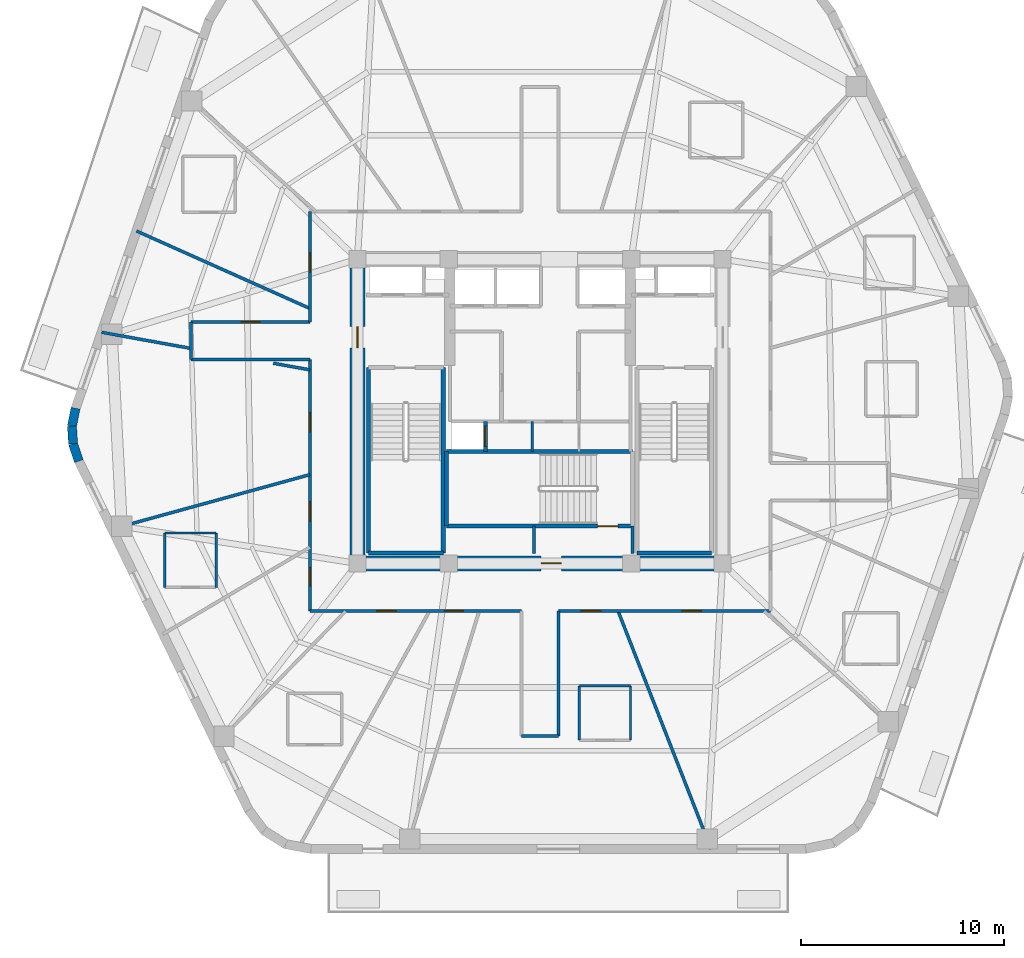
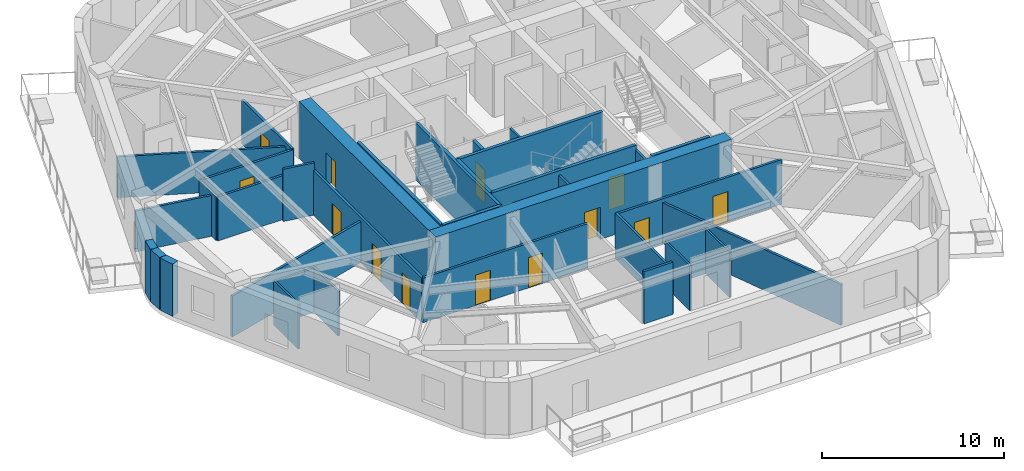
# One storey, part 3 of 9: 36 walls, 13 doors, 13 openings.
"""IFC4 building model written with IfcOpenShell, lengths in metres."""

from ifc_helpers import new_model, si_unit, direction, frame, frame_2d, origin, place, context, subcontext, project, spatial, rectangle, extrude, material, layer, layer_set, type_object, element, fill, save


model = new_model("IFC4")

# Units and contexts
model_context = context("Model", 3, precision=1e-05, world=origin(), true_north=direction((0.0, 1.0)))
body_context = subcontext(model_context, "Body", "Model", "MODEL_VIEW")
ifc_project = project(units=[si_unit("LENGTHUNIT", "METRE"), si_unit("AREAUNIT", "SQUARE_METRE"), si_unit("VOLUMEUNIT", "CUBIC_METRE"), si_unit("PLANEANGLEUNIT", "RADIAN"), si_unit("MASSUNIT", "GRAM", prefix="KILO")], contexts=[model_context])

# Site, building, storey
site_placement = place(None, origin())
site = spatial("IfcSite", under=ifc_project, at=site_placement, CompositionType="ELEMENT")
building_placement = place(site_placement, origin())
building = spatial("IfcBuilding", under=site, at=building_placement, Name="Kilnhurst Terrace Hotel", CompositionType="ELEMENT")
storey_placement = place(building_placement, frame((0.0, 0.0, 229.300048828125)))
storey = spatial("IfcBuildingStorey", under=building, at=storey_placement, Name="L57", CompositionType="ELEMENT", Elevation=229.300048828125)

# Walls
ifc_material_1 = material(Name="Precast concrete C40/50", Category="concrete")
ifc_layer_1 = layer(ifc_material_1, 0.449951171875, Name="Precast concrete C40/50")
ifc_layer_set_1 = layer_set([ifc_layer_1], Name="Precast concrete C40/50")
wall_type_1 = type_object("IfcWallType", Name="WL-BRK-450", PredefinedType="SOLIDWALL", material=ifc_layer_set_1)
wall_1_placement = place(storey_placement, frame((-22.8984375, 0.149658203125, 0.0), z_axis=(0.0, 0.0, 1.0), x_axis=(-0.199055826889, -0.979988151858, 0.0)))
element("IfcWall", 1, at=wall_1_placement, inside=storey, type_object=wall_type_1, Name="L57 Rounded Corner Brick Wall C6.1", PredefinedType="SOLIDWALL", context=body_context, shape_type="SweptSolid", body=[
    extrude(rectangle(XDim=0.89404296875, YDim=0.449951171875, at=frame_2d((0.447021484375, 0.0))), origin(), (0.0, 0.0, 1.0), 3.5),
])
wall_2_placement = place(storey_placement, frame((-23.076416015625, -0.7265625, 0.0), z_axis=(0.0, 0.0, 1.0), x_axis=(0.060805222108, -0.998149650586, 0.0)))
element("IfcWall", 2, at=wall_2_placement, inside=storey, type_object=wall_type_1, Name="L57 Rounded Corner Brick Wall C6.2", PredefinedType="SOLIDWALL", context=body_context, shape_type="SweptSolid", body=[
    extrude(rectangle(XDim=0.87939453125, YDim=0.449951171875, at=frame_2d((0.439697265625, 0.0))), origin(), (0.0, 0.0, 1.0), 3.5),
])
wall_3_placement = place(storey_placement, frame((-23.02294921875, -1.604248046875, 0.0), z_axis=(0.0, 0.0, 1.0), x_axis=(0.316801227695, -0.948491951537, 0.0)))
element("IfcWall", 3, at=wall_3_placement, inside=storey, type_object=wall_type_1, Name="L57 Rounded Corner Brick Wall C6.3", PredefinedType="SOLIDWALL", context=body_context, shape_type="SweptSolid", body=[
    extrude(rectangle(XDim=0.89404296875, YDim=0.449951171875, at=frame_2d((0.447021484375, 0.0))), origin(), (0.0, 0.0, 1.0), 3.5),
])

# Wall, openings, doors
ifc_material_2 = material(Name="Acoustic Double-Gypsum Corridor Partition Assembly")
ifc_layer_2 = layer(ifc_material_2, 0.14990234375, Name="Acoustic Double-Gypsum Corridor Partition Assembly")
ifc_layer_set_2 = layer_set([ifc_layer_2], Name="Acoustic Double-Gypsum Corridor Partition Assembly")
wall_type_2 = type_object("IfcWallType", Name="WL-COR-150", PredefinedType="PARTITIONING", material=ifc_layer_set_2)
wall_4_placement = place(storey_placement, frame((-11.35009765625, -9.85009765625, 0.0), z_axis=(0.0, 0.0, 1.0), x_axis=(0.0, 1.0, 0.0)))
wall_4 = element("IfcWall", 4, at=wall_4_placement, inside=storey, type_object=wall_type_2, Name="L57 Interior Wall WL-L57-COR-01", PredefinedType="PARTITIONING", context=body_context, shape_type="SweptSolid", body=[
    extrude(rectangle(XDim=12.400146484375, YDim=0.14990234375, at=frame_2d((6.2001953125, 0.0))), origin(), (0.0, 0.0, 1.0), 2.989990234375),
])
opening_1_placement = place(wall_4_placement, frame((8.8349609375, 0.0, 0.0)))
opening_1 = element("IfcOpeningElement", 5, at=opening_1_placement, cuts=wall_4, Name="Opening D-60B", PredefinedType="OPENING", context=body_context, shape_type="SweptSolid", body=[
    extrude(rectangle(XDim=0.949951171875, YDim=2.030029296875, at=frame_2d((0.47509765625, 1.01513671875))), frame((0.0, 0.0849609375, 0.0), z_axis=(0.0, -1.0, 0.0), x_axis=(1.0, 0.0, 0.0)), (0.0, 0.0, 1.0), 0.169921875),
])
opening_2_placement = place(wall_4_placement, frame((4.443115234375, 0.0, 0.0)))
opening_2 = element("IfcOpeningElement", 6, at=opening_2_placement, cuts=wall_4, Name="Opening D-60B", PredefinedType="OPENING", context=body_context, shape_type="SweptSolid", body=[
    extrude(rectangle(XDim=0.949951171875, YDim=2.030029296875, at=frame_2d((0.47509765625, 1.01513671875))), frame((0.0, 0.0849609375, 0.0), z_axis=(0.0, -1.0, 0.0), x_axis=(1.0, 0.0, 0.0)), (0.0, 0.0, 1.0), 0.169921875),
])
opening_3_placement = place(wall_4_placement, frame((1.241943359375, 0.0, 0.0)))
opening_3 = element("IfcOpeningElement", 7, at=opening_3_placement, cuts=wall_4, Name="Opening D-60C", PredefinedType="OPENING", context=body_context, shape_type="SweptSolid", body=[
    extrude(rectangle(XDim=0.89990234375, YDim=2.030029296875, at=frame_2d((0.449951171875, 1.01513671875))), frame((0.0, 0.0849609375, 0.0), z_axis=(0.0, -1.0, 0.0), x_axis=(1.0, 0.0, 0.0)), (0.0, 0.0, 1.0), 0.169921875),
])
ifc_material_3 = material(Name="Painted Solid-Core Service Fire Door")
door_type_1 = type_object("IfcDoorType", Name="DR-FD60-900", OperationType="NOTDEFINED", PredefinedType="DOOR", material=ifc_material_3)
door_1_placement = place(opening_3_placement, origin())
door_1 = element("IfcDoor", 8, at=door_1_placement, inside=storey, type_object=door_type_1, Name="L57 Private Tasting Dining Room Door 11", OperationType="SINGLE_SWING_LEFT", OverallHeight=2.030029296875, OverallWidth=0.89990234375, PredefinedType="DOOR", context=body_context, shape_type="SweptSolid", body=[
    extrude(rectangle(XDim=0.89990234375, YDim=2.030029296875, at=frame_2d((0.449951171875, 1.01513671875))), frame((0.0, 0.02490234375, 0.0), z_axis=(0.0, -1.0, 0.0), x_axis=(1.0, 0.0, 0.0)), (0.0, 0.0, 1.0), 0.050048828125),
])
fill(opening_3, door_1)
ifc_material_4 = material(Name="Acoustic Walnut Veneer Solid-Core Fire Door")
door_type_2 = type_object("IfcDoorType", Name="DR-FD60-950", OperationType="NOTDEFINED", PredefinedType="DOOR", material=ifc_material_4)
door_2_placement = place(opening_1_placement, origin())
door_2 = element("IfcDoor", 9, at=door_2_placement, inside=storey, type_object=door_type_2, Name="L57 Fitness Studio Door", OperationType="SINGLE_SWING_LEFT", OverallHeight=2.030029296875, OverallWidth=0.949951171875, PredefinedType="DOOR", context=body_context, shape_type="SweptSolid", body=[
    extrude(rectangle(XDim=0.949951171875, YDim=2.030029296875, at=frame_2d((0.47509765625, 1.01513671875))), frame((0.0, 0.02490234375, 0.0), z_axis=(0.0, -1.0, 0.0), x_axis=(1.0, 0.0, 0.0)), (0.0, 0.0, 1.0), 0.050048828125),
])
fill(opening_1, door_2)
door_3_placement = place(opening_2_placement, origin())
door_3 = element("IfcDoor", 10, at=door_3_placement, inside=storey, type_object=door_type_2, Name="L57 Guest Room Entry Door 10", OperationType="SINGLE_SWING_RIGHT", OverallHeight=2.030029296875, OverallWidth=0.949951171875, PredefinedType="DOOR", context=body_context, shape_type="SweptSolid", body=[
    extrude(rectangle(XDim=0.949951171875, YDim=2.030029296875, at=frame_2d((0.47509765625, 1.01513671875))), frame((0.0, 0.02490234375, 0.0), z_axis=(0.0, -1.0, 0.0), x_axis=(1.0, 0.0, 0.0)), (0.0, 0.0, 1.0), 0.050048828125),
])
fill(opening_2, door_3)

# Walls
wall_5_placement = place(storey_placement, frame((-11.35009765625, 2.550048828125, 0.0), z_axis=(0.0, 0.0, 1.0), x_axis=(-1.0, 0.0, 0.0)))
element("IfcWall", 11, at=wall_5_placement, inside=storey, type_object=wall_type_2, Name="L57 Interior Wall WL-L57-COR-02", PredefinedType="PARTITIONING", context=body_context, shape_type="SweptSolid", body=[
    extrude(rectangle(XDim=5.849853515625, YDim=0.14990234375, at=frame_2d((2.9248046875, 0.0))), origin(), (0.0, 0.0, 1.0), 2.9404296875),
])
wall_6_placement = place(storey_placement, frame((-17.199951171875, 2.550048828125, 0.0), z_axis=(0.0, 0.0, 1.0), x_axis=(0.0, 1.0, 0.0)))
element("IfcWall", 12, at=wall_6_placement, inside=storey, type_object=wall_type_2, Name="L57 Interior Wall WL-L57-COR-03", PredefinedType="PARTITIONING", context=body_context, shape_type="SweptSolid", body=[
    extrude(rectangle(XDim=1.849853515625, YDim=0.14990234375, at=frame_2d((0.9248046875, 0.0))), origin(), (0.0, 0.0, 1.0), 2.9404296875),
])

# Wall, opening, door
wall_7_placement = place(storey_placement, frame((-17.199951171875, 4.39990234375, 0.0), z_axis=(0.0, 0.0, 1.0), x_axis=(1.0, 0.0, 0.0)))
wall_7 = element("IfcWall", 13, at=wall_7_placement, inside=storey, type_object=wall_type_2, Name="L57 Interior Wall WL-L57-COR-04", PredefinedType="PARTITIONING", context=body_context, shape_type="SweptSolid", body=[
    extrude(rectangle(XDim=5.849853515625, YDim=0.14990234375, at=frame_2d((2.9248046875, 0.0))), origin(), (0.0, 0.0, 1.0), 2.9404296875),
])
opening_4_placement = place(wall_7_placement, frame((2.47509765625, 0.0, 0.0)))
opening_4 = element("IfcOpeningElement", 14, at=opening_4_placement, cuts=wall_7, Name="Opening D-60C", PredefinedType="OPENING", context=body_context, shape_type="SweptSolid", body=[
    extrude(rectangle(XDim=0.89990234375, YDim=2.030029296875, at=frame_2d((0.449951171875, 1.01513671875))), frame((0.0, 0.0849609375, 0.0), z_axis=(0.0, -1.0, 0.0), x_axis=(1.0, 0.0, 0.0)), (0.0, 0.0, 1.0), 0.169921875),
])
door_4_placement = place(opening_4_placement, origin())
door_4 = element("IfcDoor", 15, at=door_4_placement, inside=storey, type_object=door_type_1, Name="L57 Wellness Consultation Room Door 8", OperationType="SINGLE_SWING_RIGHT", OverallHeight=2.030029296875, OverallWidth=0.89990234375, PredefinedType="DOOR", context=body_context, shape_type="SweptSolid", body=[
    extrude(rectangle(XDim=0.89990234375, YDim=2.030029296875, at=frame_2d((0.449951171875, 1.01513671875))), frame((0.0, 0.02490234375, 0.0), z_axis=(0.0, -1.0, 0.0), x_axis=(1.0, 0.0, 0.0)), (0.0, 0.0, 1.0), 0.050048828125),
])
fill(opening_4, door_4)

wall_8_placement = place(storey_placement, frame((-11.35009765625, 4.39990234375, 0.0), z_axis=(0.0, 0.0, 1.0), x_axis=(0.0, 1.0, 0.0)))
wall_8 = element("IfcWall", 16, at=wall_8_placement, inside=storey, type_object=wall_type_2, Name="L57 Interior Wall WL-L57-COR-05", PredefinedType="PARTITIONING", context=body_context, shape_type="SweptSolid", body=[
    extrude(rectangle(XDim=5.4501953125, YDim=0.14990234375, at=frame_2d((2.72509765625, 0.0))), origin(), (0.0, 0.0, 1.0), 2.989990234375),
])
opening_5_placement = place(wall_8_placement, frame((2.466064453125, 0.0, 0.0)))
opening_5 = element("IfcOpeningElement", 17, at=opening_5_placement, cuts=wall_8, Name="Opening D-60B", PredefinedType="OPENING", context=body_context, shape_type="SweptSolid", body=[
    extrude(rectangle(XDim=0.949951171875, YDim=2.030029296875, at=frame_2d((0.47509765625, 1.01513671875))), frame((0.0, 0.0849609375, 0.0), z_axis=(0.0, -1.0, 0.0), x_axis=(1.0, 0.0, 0.0)), (0.0, 0.0, 1.0), 0.169921875),
])
door_5_placement = place(opening_5_placement, origin())
door_5 = element("IfcDoor", 18, at=door_5_placement, inside=storey, type_object=door_type_2, Name="L57 Guest Room Entry Door 7", OperationType="SINGLE_SWING_LEFT", OverallHeight=2.030029296875, OverallWidth=0.949951171875, PredefinedType="DOOR", context=body_context, shape_type="SweptSolid", body=[
    extrude(rectangle(XDim=0.949951171875, YDim=2.030029296875, at=frame_2d((0.47509765625, 1.01513671875))), frame((0.0, 0.02490234375, 0.0), z_axis=(0.0, -1.0, 0.0), x_axis=(1.0, 0.0, 0.0)), (0.0, 0.0, 1.0), 0.050048828125),
])
fill(opening_5, door_5)

# Wall, openings, doors
wall_9_placement = place(storey_placement, frame((11.35009765625, -9.85009765625, 0.0), z_axis=(0.0, 0.0, 1.0), x_axis=(-1.0, 0.0, 0.0)))
wall_9 = element("IfcWall", 19, at=wall_9_placement, inside=storey, type_object=wall_type_2, Name="L57 Interior Wall WL-L57-COR-16", PredefinedType="PARTITIONING", context=body_context, shape_type="SweptSolid", body=[
    extrude(rectangle(XDim=10.43017578125, YDim=0.14990234375, at=frame_2d((5.215087890625, 0.0))), origin(), (0.0, 0.0, 1.0), 2.989990234375),
])
opening_6_placement = place(wall_9_placement, frame((8.362060546875, 0.0, 0.0)))
opening_6 = element("IfcOpeningElement", 20, at=opening_6_placement, cuts=wall_9, Name="Opening D-60B", PredefinedType="OPENING", context=body_context, shape_type="SweptSolid", body=[
    extrude(rectangle(XDim=0.949951171875, YDim=2.030029296875, at=frame_2d((0.47509765625, 1.01513671875))), frame((0.0, 0.0849609375, 0.0), z_axis=(0.0, -1.0, 0.0), x_axis=(1.0, 0.0, 0.0)), (0.0, 0.0, 1.0), 0.169921875),
])
opening_7_placement = place(wall_9_placement, frame((3.39599609375, 0.0, 0.0)))
opening_7 = element("IfcOpeningElement", 21, at=opening_7_placement, cuts=wall_9, Name="Opening D-60B", PredefinedType="OPENING", context=body_context, shape_type="SweptSolid", body=[
    extrude(rectangle(XDim=0.949951171875, YDim=2.030029296875, at=frame_2d((0.47509765625, 1.01513671875))), frame((0.0, 0.0849609375, 0.0), z_axis=(0.0, -1.0, 0.0), x_axis=(1.0, 0.0, 0.0)), (0.0, 0.0, 1.0), 0.169921875),
])
door_6_placement = place(opening_6_placement, origin())
door_6 = element("IfcDoor", 22, at=door_6_placement, inside=storey, type_object=door_type_2, Name="L57 Executive Suite Entry Door 14", OperationType="SINGLE_SWING_RIGHT", OverallHeight=2.030029296875, OverallWidth=0.949951171875, PredefinedType="DOOR", context=body_context, shape_type="SweptSolid", body=[
    extrude(rectangle(XDim=0.949951171875, YDim=2.030029296875, at=frame_2d((0.47509765625, 1.01513671875))), frame((0.0, 0.02490234375, 0.0), z_axis=(0.0, -1.0, 0.0), x_axis=(1.0, 0.0, 0.0)), (0.0, 0.0, 1.0), 0.050048828125),
])
fill(opening_6, door_6)
door_7_placement = place(opening_7_placement, origin())
door_7 = element("IfcDoor", 23, at=door_7_placement, inside=storey, type_object=door_type_2, Name="L57 Reading Study Door", OperationType="SINGLE_SWING_LEFT", OverallHeight=2.030029296875, OverallWidth=0.949951171875, PredefinedType="DOOR", context=body_context, shape_type="SweptSolid", body=[
    extrude(rectangle(XDim=0.949951171875, YDim=2.030029296875, at=frame_2d((0.47509765625, 1.01513671875))), frame((0.0, 0.02490234375, 0.0), z_axis=(0.0, -1.0, 0.0), x_axis=(1.0, 0.0, 0.0)), (0.0, 0.0, 1.0), 0.050048828125),
])
fill(opening_7, door_7)

# Walls
wall_10_placement = place(storey_placement, frame((0.919921875, -9.85009765625, 0.0), z_axis=(0.0, 0.0, 1.0), x_axis=(0.0, -1.0, 0.0)))
element("IfcWall", 24, at=wall_10_placement, inside=storey, type_object=wall_type_2, Name="L57 Interior Wall WL-L57-COR-17", PredefinedType="PARTITIONING", context=body_context, shape_type="SweptSolid", body=[
    extrude(rectangle(XDim=6.14990234375, YDim=0.14990234375, at=frame_2d((3.074951171875, 0.0))), origin(), (0.0, 0.0, 1.0), 3.0263671875),
])
wall_11_placement = place(storey_placement, frame((0.919921875, -16.0, 0.0), z_axis=(0.0, 0.0, 1.0), x_axis=(-1.0, 0.0, 0.0)))
element("IfcWall", 25, at=wall_11_placement, inside=storey, type_object=wall_type_2, Name="L57 Interior Wall WL-L57-COR-18", PredefinedType="PARTITIONING", context=body_context, shape_type="SweptSolid", body=[
    extrude(rectangle(XDim=1.83984375, YDim=0.14990234375, at=frame_2d((0.919921875, 0.0))), origin(), (0.0, 0.0, 1.0), 3.5),
])

# Wall, openings, doors
wall_12_placement = place(storey_placement, frame((-0.919921875, -9.85009765625, 0.0), z_axis=(0.0, 0.0, 1.0), x_axis=(-1.0, 0.0, 0.0)))
wall_12 = element("IfcWall", 26, at=wall_12_placement, inside=storey, type_object=wall_type_2, Name="L57 Interior Wall WL-L57-COR-20", PredefinedType="PARTITIONING", context=body_context, shape_type="SweptSolid", body=[
    extrude(rectangle(XDim=10.43017578125, YDim=0.14990234375, at=frame_2d((5.215087890625, 0.0))), origin(), (0.0, 0.0, 1.0), 2.989990234375),
])
opening_8_placement = place(wall_12_placement, frame((6.172119140625, 0.0, 0.0)))
opening_8 = element("IfcOpeningElement", 27, at=opening_8_placement, cuts=wall_12, Name="Opening D-60B", PredefinedType="OPENING", context=body_context, shape_type="SweptSolid", body=[
    extrude(rectangle(XDim=0.949951171875, YDim=2.030029296875, at=frame_2d((0.47509765625, 1.01513671875))), frame((0.0, 0.0849609375, 0.0), z_axis=(0.0, -1.0, 0.0), x_axis=(1.0, 0.0, 0.0)), (0.0, 0.0, 1.0), 0.169921875),
])
opening_9_placement = place(wall_12_placement, frame((2.875, 0.0, 0.0)))
opening_9 = element("IfcOpeningElement", 28, at=opening_9_placement, cuts=wall_12, Name="Opening D-60C", PredefinedType="OPENING", context=body_context, shape_type="SweptSolid", body=[
    extrude(rectangle(XDim=0.89990234375, YDim=2.030029296875, at=frame_2d((0.449951171875, 1.01513671875))), frame((0.0, 0.0849609375, 0.0), z_axis=(0.0, -1.0, 0.0), x_axis=(1.0, 0.0, 0.0)), (0.0, 0.0, 1.0), 0.169921875),
])
door_8_placement = place(opening_9_placement, origin())
door_8 = element("IfcDoor", 29, at=door_8_placement, inside=storey, type_object=door_type_1, Name="L57 Executive Work Office Door 13", OperationType="SINGLE_SWING_LEFT", OverallHeight=2.030029296875, OverallWidth=0.89990234375, PredefinedType="DOOR", context=body_context, shape_type="SweptSolid", body=[
    extrude(rectangle(XDim=0.89990234375, YDim=2.030029296875, at=frame_2d((0.449951171875, 1.01513671875))), frame((0.0, 0.02490234375, 0.0), z_axis=(0.0, -1.0, 0.0), x_axis=(1.0, 0.0, 0.0)), (0.0, 0.0, 1.0), 0.050048828125),
])
fill(opening_9, door_8)
door_9_placement = place(opening_8_placement, origin())
door_9 = element("IfcDoor", 30, at=door_9_placement, inside=storey, type_object=door_type_2, Name="L57 Guest Room Entry Door 12", OperationType="SINGLE_SWING_RIGHT", OverallHeight=2.030029296875, OverallWidth=0.949951171875, PredefinedType="DOOR", context=body_context, shape_type="SweptSolid", body=[
    extrude(rectangle(XDim=0.949951171875, YDim=2.030029296875, at=frame_2d((0.47509765625, 1.01513671875))), frame((0.0, 0.02490234375, 0.0), z_axis=(0.0, -1.0, 0.0), x_axis=(1.0, 0.0, 0.0)), (0.0, 0.0, 1.0), 0.050048828125),
])
fill(opening_8, door_9)

# Wall, opening, door
ifc_material_5 = material(Name="Concrete C60/75", Category="concrete")
ifc_layer_3 = layer(ifc_material_5, 0.75, Name="Concrete C60/75")
ifc_layer_set_3 = layer_set([ifc_layer_3], Name="Concrete C60/75")
wall_type_3 = type_object("IfcWallType", Name="WL-CORE-750", PredefinedType="SHEAR", material=ifc_layer_set_3)
wall_13_placement = place(storey_placement, frame((-9.375, -7.5, 0.0), z_axis=(0.0, 0.0, 1.0), x_axis=(1.0, 0.0, 0.0)))
wall_13 = element("IfcWall", 31, at=wall_13_placement, inside=storey, type_object=wall_type_3, Name="L57 Core South Shear Wall", PredefinedType="SHEAR", context=body_context, shape_type="SweptSolid", body=[
    extrude(rectangle(XDim=18.75, YDim=0.75, at=frame_2d((9.375, 0.0))), origin(), (0.0, 0.0, 1.0), 3.800048828125),
])
opening_10_placement = place(wall_13_placement, frame((9.425048828125, 0.0, 0.0)))
opening_10 = element("IfcOpeningElement", 32, at=opening_10_placement, cuts=wall_13, Name="Opening D-90B", PredefinedType="OPENING", context=body_context, shape_type="SweptSolid", body=[
    extrude(rectangle(XDim=1.0, YDim=2.14990234375, at=frame_2d((0.5, 1.074951171875))), frame((0.0, 0.385009765625, 0.0), z_axis=(0.0, -1.0, 0.0), x_axis=(1.0, 0.0, 0.0)), (0.0, 0.0, 1.0), 0.77001953125),
])
ifc_material_6 = material(Name="Painted Hollow Metal Steel ASTM A36 Fire Door", Category="steel")
door_type_3 = type_object("IfcDoorType", Name="DR-FD90-1000", OperationType="NOTDEFINED", PredefinedType="DOOR", material=ifc_material_6)
door_10_placement = place(opening_10_placement, origin())
door_10 = element("IfcDoor", 33, at=door_10_placement, inside=storey, type_object=door_type_3, Name="L57 Stair ST-3 Corridor Door", OperationType="SINGLE_SWING_RIGHT", OverallHeight=2.14990234375, OverallWidth=1.0, PredefinedType="DOOR", context=body_context, shape_type="SweptSolid", body=[
    extrude(rectangle(XDim=1.0, YDim=2.14990234375, at=frame_2d((0.5, 1.074951171875))), frame((0.0, 0.02490234375, 0.0), z_axis=(0.0, -1.0, 0.0), x_axis=(1.0, 0.0, 0.0)), (0.0, 0.0, 1.0), 0.050048828125),
])
fill(opening_10, door_10)

wall_14_placement = place(storey_placement, frame((-9.0, -7.125, 0.0), z_axis=(0.0, 0.0, 1.0), x_axis=(0.0, 1.0, 0.0)))
wall_14 = element("IfcWall", 34, at=wall_14_placement, inside=storey, type_object=wall_type_3, Name="L57 Core West Shear Wall", PredefinedType="SHEAR", context=body_context, shape_type="SweptSolid", body=[
    extrude(rectangle(XDim=14.25, YDim=0.75, at=frame_2d((7.125, 0.0))), origin(), (0.0, 0.0, 1.0), 3.800048828125),
])
opening_11_placement = place(wall_14_placement, frame((10.25, 0.0, 0.0)))
opening_11 = element("IfcOpeningElement", 35, at=opening_11_placement, cuts=wall_14, Name="Opening D-90A", PredefinedType="OPENING", context=body_context, shape_type="SweptSolid", body=[
    extrude(rectangle(XDim=1.050048828125, YDim=2.14990234375, at=frame_2d((0.52490234375, 1.074951171875))), frame((0.0, 0.385009765625, 0.0), z_axis=(0.0, -1.0, 0.0), x_axis=(1.0, 0.0, 0.0)), (0.0, 0.0, 1.0), 0.77001953125),
])
door_type_4 = type_object("IfcDoorType", Name="DR-FD90-1050", OperationType="NOTDEFINED", PredefinedType="DOOR", material=ifc_material_6)
door_11_placement = place(opening_11_placement, origin())
door_11 = element("IfcDoor", 36, at=door_11_placement, inside=storey, type_object=door_type_4, Name="L57 West Firefighting Lobby Door", OperationType="SINGLE_SWING_RIGHT", OverallHeight=2.14990234375, OverallWidth=1.050048828125, PredefinedType="DOOR", context=body_context, shape_type="SweptSolid", body=[
    extrude(rectangle(XDim=1.050048828125, YDim=2.14990234375, at=frame_2d((0.52490234375, 1.074951171875))), frame((0.0, 0.02490234375, 0.0), z_axis=(0.0, -1.0, 0.0), x_axis=(1.0, 0.0, 0.0)), (0.0, 0.0, 1.0), 0.050048828125),
])
fill(opening_11, door_11)

# Walls
ifc_material_7 = material(Name="STC-58 Acoustic Twin-Frame Guestroom Demising Partition")
ifc_layer_4 = layer(ifc_material_7, 0.14990234375, Name="STC-58 Acoustic Twin-Frame Guestroom Demising Partition")
ifc_layer_set_4 = layer_set([ifc_layer_4], Name="STC-58 Acoustic Twin-Frame Guestroom Demising Partition")
wall_type_4 = type_object("IfcWallType", Name="WL-DEM-150", PredefinedType="PARTITIONING", material=ifc_layer_set_4)
wall_15_placement = place(storey_placement, frame((-11.35009765625, 5.072021484375, 0.0), z_axis=(0.0, 0.0, 1.0), x_axis=(-0.912980177983, 0.408003914944, 0.0)))
element("IfcWall", 37, at=wall_15_placement, inside=storey, type_object=wall_type_4, Name="L57 Interior Wall WL-L57-DEM-MID05-08-1", PredefinedType="PARTITIONING", context=body_context, shape_type="SweptSolid", body=[
    extrude(rectangle(XDim=9.358154296875, YDim=0.14990234375, at=frame_2d((4.67919921875, 0.0))), origin(), (0.0, 0.0, 1.0), 2.739990234375),
])
wall_16_placement = place(storey_placement, frame((-11.35009765625, 2.046142578125, 0.0), z_axis=(0.0, 0.0, 1.0), x_axis=(-0.984127783205, 0.177461281195, 0.0)))
element("IfcWall", 38, at=wall_16_placement, inside=storey, type_object=wall_type_4, Name="L57 Interior Wall WL-L57-DEM-COL06-09-1", PredefinedType="PARTITIONING", context=body_context, shape_type="SweptSolid", body=[
    extrude(rectangle(XDim=1.82568359375, YDim=0.14990234375, at=frame_2d((0.912841796875, 0.0))), origin(), (0.0, 0.0, 1.0), 3.5),
])
wall_17_placement = place(storey_placement, frame((-17.199951171875, 3.1005859375, 0.0), z_axis=(0.0, 0.0, 1.0), x_axis=(-0.98413465883, 0.177423147559, 0.0)))
element("IfcWall", 39, at=wall_17_placement, inside=storey, type_object=wall_type_4, Name="L57 Interior Wall WL-L57-DEM-COL06-09-2", PredefinedType="PARTITIONING", context=body_context, shape_type="SweptSolid", body=[
    extrude(rectangle(XDim=4.481689453125, YDim=0.14990234375, at=frame_2d((2.24072265625, 0.0))), origin(), (0.0, 0.0, 1.0), 2.739990234375),
])
wall_18_placement = place(storey_placement, frame((-11.35009765625, -3.12060546875, 0.0), z_axis=(0.0, 0.0, 1.0), x_axis=(-0.964212793822, -0.265129568758, 0.0)))
element("IfcWall", 40, at=wall_18_placement, inside=storey, type_object=wall_type_4, Name="L57 Interior Wall WL-L57-DEM-COL07-10-1", PredefinedType="PARTITIONING", context=body_context, shape_type="SweptSolid", body=[
    extrude(rectangle(XDim=10.119873046875, YDim=0.14990234375, at=frame_2d((5.06005859375, 0.0))), origin(), (0.0, 0.0, 1.0), 2.739990234375),
])
wall_19_placement = place(storey_placement, frame((3.848388671875, -9.85009765625, 0.0), z_axis=(0.0, 0.0, 1.0), x_axis=(0.363921778212, -0.931429513889, 0.0)))
element("IfcWall", 41, at=wall_19_placement, inside=storey, type_object=wall_type_4, Name="L57 Interior Wall WL-L57-DEM-COL10-15-1", PredefinedType="PARTITIONING", context=body_context, shape_type="SweptSolid", body=[
    extrude(rectangle(XDim=12.588134765625, YDim=0.14990234375, at=frame_2d((6.2939453125, 0.0))), origin(), (0.0, 0.0, 1.0), 2.739990234375),
])
ifc_material_8 = material(Name="120 mm Moisture-Resistant Tile-Backed Bathroom Partition")
ifc_layer_5 = layer(ifc_material_8, 0.1201171875, Name="120 mm Moisture-Resistant Tile-Backed Bathroom Partition")
ifc_layer_set_5 = layer_set([ifc_layer_5], Name="120 mm Moisture-Resistant Tile-Backed Bathroom Partition")
wall_type_5 = type_object("IfcWallType", Name="WL-PART-120", PredefinedType="PARTITIONING", material=ifc_layer_set_5)
wall_20_placement = place(storey_placement, frame((-0.3798828125, -1.971923828125, 0.0), z_axis=(0.0, 0.0, 1.0), x_axis=(0.0, 1.0, 0.0)))
element("IfcWall", 42, at=wall_20_placement, inside=storey, type_object=wall_type_5, Name="L57 Interior Wall WL-L57-BOH-C1", PredefinedType="PARTITIONING", context=body_context, shape_type="SweptSolid", body=[
    extrude(rectangle(XDim=1.471923828125, YDim=0.1201171875, at=frame_2d((0.73583984375, 0.0))), origin(), (0.0, 0.0, 1.0), 3.5),
])
wall_21_placement = place(storey_placement, frame((-15.971923828125, -8.678955078125, 0.0), z_axis=(0.0, 0.0, 1.0), x_axis=(0.0, 1.0, 0.0)))
element("IfcWall", 43, at=wall_21_placement, inside=storey, type_object=wall_type_5, Name="L57 Interior Wall WL-L57-BTH-10-2", PredefinedType="PARTITIONING", context=body_context, shape_type="SweptSolid", body=[
    extrude(rectangle(XDim=2.679931640625, YDim=0.1201171875, at=frame_2d((1.33984375, 0.0))), origin(), (0.0, 0.0, 1.0), 2.989990234375),
])
wall_22_placement = place(storey_placement, frame((-15.971923828125, -5.9990234375, 0.0), z_axis=(0.0, 0.0, 1.0), x_axis=(-1.0, 0.0, 0.0)))
element("IfcWall", 44, at=wall_22_placement, inside=storey, type_object=wall_type_5, Name="L57 Interior Wall WL-L57-BTH-10-3", PredefinedType="PARTITIONING", context=body_context, shape_type="SweptSolid", body=[
    extrude(rectangle(XDim=2.52001953125, YDim=0.1201171875, at=frame_2d((1.260009765625, 0.0))), origin(), (0.0, 0.0, 1.0), 2.9404296875),
])
wall_23_placement = place(storey_placement, frame((-18.491943359375, -5.9990234375, 0.0), z_axis=(0.0, 0.0, 1.0), x_axis=(0.0, -1.0, 0.0)))
element("IfcWall", 45, at=wall_23_placement, inside=storey, type_object=wall_type_5, Name="L57 Interior Wall WL-L57-BTH-10-4", PredefinedType="PARTITIONING", context=body_context, shape_type="SweptSolid", body=[
    extrude(rectangle(XDim=2.679931640625, YDim=0.1201171875, at=frame_2d((1.33984375, 0.0))), origin(), (0.0, 0.0, 1.0), 2.989990234375),
])
wall_24_placement = place(storey_placement, frame((4.4580078125, -16.215087890625, 0.0), z_axis=(0.0, 0.0, 1.0), x_axis=(0.0, 1.0, 0.0)))
element("IfcWall", 46, at=wall_24_placement, inside=storey, type_object=wall_type_5, Name="L57 Interior Wall WL-L57-BTH-14-2", PredefinedType="PARTITIONING", context=body_context, shape_type="SweptSolid", body=[
    extrude(rectangle(XDim=2.68017578125, YDim=0.1201171875, at=frame_2d((1.340087890625, 0.0))), origin(), (0.0, 0.0, 1.0), 3.0263671875),
])
wall_25_placement = place(storey_placement, frame((4.4580078125, -13.534912109375, 0.0), z_axis=(0.0, 0.0, 1.0), x_axis=(-1.0, 0.0, 0.0)))
element("IfcWall", 47, at=wall_25_placement, inside=storey, type_object=wall_type_5, Name="L57 Interior Wall WL-L57-BTH-14-3", PredefinedType="PARTITIONING", context=body_context, shape_type="SweptSolid", body=[
    extrude(rectangle(XDim=2.52001953125, YDim=0.1201171875, at=frame_2d((1.260009765625, 0.0))), origin(), (0.0, 0.0, 1.0), 3.0263671875),
])
wall_26_placement = place(storey_placement, frame((1.93798828125, -13.534912109375, 0.0), z_axis=(0.0, 0.0, 1.0), x_axis=(0.0, -1.0, 0.0)))
element("IfcWall", 48, at=wall_26_placement, inside=storey, type_object=wall_type_5, Name="L57 Interior Wall WL-L57-BTH-14-4", PredefinedType="PARTITIONING", context=body_context, shape_type="SweptSolid", body=[
    extrude(rectangle(XDim=2.68017578125, YDim=0.1201171875, at=frame_2d((1.340087890625, 0.0))), origin(), (0.0, 0.0, 1.0), 3.0263671875),
])
ifc_material_9 = material(Name="Fire-Rated Gypsum Shaftliner Assembly")
ifc_layer_6 = layer(ifc_material_9, 0.14990234375, Name="Fire-Rated Gypsum Shaftliner Assembly")
ifc_layer_set_6 = layer_set([ifc_layer_6], Name="Fire-Rated Gypsum Shaftliner Assembly")
wall_type_6 = type_object("IfcWallType", Name="WL-SHAFT-150", PredefinedType="PARTITIONING", material=ifc_layer_set_6)
for number, where, z_axis, x_axis, name in (
    (49, (-0.300048828125, -7.02001953125, 0.0), (0.0, 0.0, 1.0), (0.0, 1.0, 0.0), "L57 Interior Wall WL-L57-ST3-PSGW"),
    (50, (4.55810546875, -7.02001953125, 0.0), (0.0, 0.0, 1.0), (0.0, 1.0, 0.0), "L57 Interior Wall WL-L57-ST3-PSGE"),
):
    element("IfcWall", number, at=place(storey_placement, frame(where, z_axis=z_axis, x_axis=x_axis)), inside=storey, type_object=wall_type_6, Name=name, PredefinedType="PARTITIONING", context=body_context, shape_type="SweptSolid", body=[
        extrude(rectangle(XDim=1.362060546875, YDim=0.14990234375, at=frame_2d((0.68115234375, 0.0))), origin(), (0.0, 0.0, 1.0), 3.5),
    ])

# Wall, opening, door
ifc_material_10 = material(Name="Autoclaved Aerated Concrete C30/37 and Gypsum Shaft Assembly", Category="concrete")
ifc_layer_7 = layer(ifc_material_10, 0.199951171875, Name="Autoclaved Aerated Concrete C30/37 and Gypsum Shaft Assembly")
ifc_layer_set_7 = layer_set([ifc_layer_7], Name="Autoclaved Aerated Concrete C30/37 and Gypsum Shaft Assembly")
wall_type_7 = type_object("IfcWallType", Name="WL-SHAFT-200", PredefinedType="PARTITIONING", material=ifc_layer_set_7)
wall_27_placement = place(storey_placement, frame((-2.699951171875, -1.971923828125, 0.0), z_axis=(0.0, 0.0, 1.0), x_axis=(0.0, 1.0, 0.0)))
wall_27 = element("IfcWall", 51, at=wall_27_placement, inside=storey, type_object=wall_type_7, Name="L57 Interior Wall WL-L57-SRV1-E", PredefinedType="PARTITIONING", context=body_context, shape_type="SweptSolid", body=[
    extrude(rectangle(XDim=1.471923828125, YDim=0.199951171875, at=frame_2d((0.73583984375, 0.0))), origin(), (0.0, 0.0, 1.0), 3.5),
])
opening_12_placement = place(wall_27_placement, frame((0.239990234375, 0.0, 0.0)))
opening_12 = element("IfcOpeningElement", 52, at=opening_12_placement, cuts=wall_27, Name="Opening LD-SV", PredefinedType="OPENING", context=body_context, shape_type="SweptSolid", body=[
    extrude(rectangle(XDim=1.0, YDim=2.199951171875, at=frame_2d((0.5, 1.10009765625))), frame((0.0, 0.10986328125, 0.0), z_axis=(0.0, -1.0, 0.0), x_axis=(1.0, 0.0, 0.0)), (0.0, 0.0, 1.0), 0.219970703125),
])
ifc_material_11 = material(Name="Bronze-Anodized Stainless Steel AISI 316L Sliding Door", Category="steel")
door_type_5 = type_object("IfcDoorType", Name="DR-LIFT-1000", OperationType="NOTDEFINED", PredefinedType="DOOR", material=ifc_material_11)
door_12_placement = place(opening_12_placement, origin())
door_12 = element("IfcDoor", 53, at=door_12_placement, inside=storey, type_object=door_type_5, Name="L57 Service Lift SRV-1 Landing Door", OperationType="SLIDING_TO_LEFT", OverallHeight=2.199951171875, OverallWidth=1.0, PredefinedType="DOOR", context=body_context, shape_type="SweptSolid", body=[
    extrude(rectangle(XDim=1.0, YDim=2.199951171875, at=frame_2d((0.5, 1.10009765625))), frame((0.0, 0.02490234375, 0.0), z_axis=(0.0, -1.0, 0.0), x_axis=(1.0, 0.0, 0.0)), (0.0, 0.0, 1.0), 0.050048828125),
])
fill(opening_12, door_12)

# Walls
ifc_material_12 = material(Name="Concrete C50/60", Category="concrete")
ifc_layer_8 = layer(ifc_material_12, 0.199951171875, Name="Concrete C50/60")
ifc_layer_set_8 = layer_set([ifc_layer_8], Name="Concrete C50/60")
wall_type_8 = type_object("IfcWallType", Name="WL-STAIR-RC-200", PredefinedType="SHEAR", material=ifc_layer_set_8)
for number, where, z_axis, x_axis, name in (
    (54, (-8.4580078125, -6.985107421875, 0.0), (0.0, 0.0, 1.0), (0.0, 1.0, 0.0), "L57 Structural Stair Shaft Wall WL-L57-ST1-W"),
    (55, (-4.77197265625, -6.985107421875, 0.0), (0.0, 0.0, 1.0), (0.0, 1.0, 0.0), "L57 Structural Stair Shaft Wall WL-L57-ST1-E"),
):
    element("IfcWall", number, at=place(storey_placement, frame(where, z_axis=z_axis, x_axis=x_axis)), inside=storey, type_object=wall_type_8, Name=name, PredefinedType="SHEAR", context=body_context, shape_type="SweptSolid", body=[
        extrude(rectangle(XDim=9.14306640625, YDim=0.199951171875, at=frame_2d((4.571533203125, 0.0))), origin(), (0.0, 0.0, 1.0), 3.800048828125),
    ])
for number, where, z_axis, x_axis, name in (
    (56, (-8.4580078125, -6.985107421875, 0.0), (0.0, 0.0, 1.0), (1.0, 0.0, 0.0), "L57 Structural Stair Shaft Wall WL-L57-ST1-S"),
    (57, (4.77197265625, -6.985107421875, 0.0), (0.0, 0.0, 1.0), (1.0, 0.0, 0.0), "L57 Structural Stair Shaft Wall WL-L57-ST2-S"),
    (58, (-4.60791015625, -5.657958984375, 0.0), (0.0, 0.0, 1.0), (0.0, 1.0, 0.0), "L57 Structural Stair Shaft Wall WL-L57-ST3-W"),
):
    element("IfcWall", number, at=place(storey_placement, frame(where, z_axis=z_axis, x_axis=x_axis)), inside=storey, type_object=wall_type_8, Name=name, PredefinedType="SHEAR", context=body_context, shape_type="SweptSolid", body=[
        extrude(rectangle(XDim=3.68603515625, YDim=0.199951171875, at=frame_2d((1.843017578125, 0.0))), origin(), (0.0, 0.0, 1.0), 3.800048828125),
    ])

# Wall, opening, door
wall_28_placement = place(storey_placement, frame((-4.60791015625, -5.657958984375, 0.0), z_axis=(0.0, 0.0, 1.0), x_axis=(1.0, 0.0, 0.0)))
wall_28 = element("IfcWall", 59, at=wall_28_placement, inside=storey, type_object=wall_type_8, Name="L57 Structural Stair Shaft Wall WL-L57-ST3-S", PredefinedType="SHEAR", context=body_context, shape_type="SweptSolid", body=[
    extrude(rectangle(XDim=9.166015625, YDim=0.199951171875, at=frame_2d((4.5830078125, 0.0))), origin(), (0.0, 0.0, 1.0), 3.800048828125),
])
opening_13_placement = place(wall_28_placement, frame((7.449951171875, 0.0, 0.0)))
opening_13 = element("IfcOpeningElement", 60, at=opening_13_placement, cuts=wall_28, Name="Opening D-90B", PredefinedType="OPENING", context=body_context, shape_type="SweptSolid", body=[
    extrude(rectangle(XDim=1.0, YDim=2.14990234375, at=frame_2d((0.5, 1.074951171875))), frame((0.0, 0.10986328125, 0.0), z_axis=(0.0, -1.0, 0.0), x_axis=(1.0, 0.0, 0.0)), (0.0, 0.0, 1.0), 0.219970703125),
])
door_13_placement = place(opening_13_placement, origin())
door_13 = element("IfcDoor", 61, at=door_13_placement, inside=storey, type_object=door_type_3, Name="L57 Stair ST-3 Shaft Door", OperationType="SINGLE_SWING_LEFT", OverallHeight=2.14990234375, OverallWidth=1.0, PredefinedType="DOOR", context=body_context, shape_type="SweptSolid", body=[
    extrude(rectangle(XDim=1.0, YDim=2.14990234375, at=frame_2d((0.5, 1.074951171875))), frame((0.0, 0.02490234375, 0.0), z_axis=(0.0, -1.0, 0.0), x_axis=(1.0, 0.0, 0.0)), (0.0, 0.0, 1.0), 0.050048828125),
])
fill(opening_13, door_13)

# Wall
wall_29_placement = place(storey_placement, frame((-4.60791015625, -1.971923828125, 0.0), z_axis=(0.0, 0.0, 1.0), x_axis=(1.0, 0.0, 0.0)))
element("IfcWall", 62, at=wall_29_placement, inside=storey, type_object=wall_type_8, Name="L57 Structural Stair Shaft Wall WL-L57-ST3-N", PredefinedType="SHEAR", context=body_context, shape_type="SweptSolid", body=[
    extrude(rectangle(XDim=9.166015625, YDim=0.199951171875, at=frame_2d((4.5830078125, 0.0))), origin(), (0.0, 0.0, 1.0), 3.800048828125),
])

save(model, "model.ifc")
